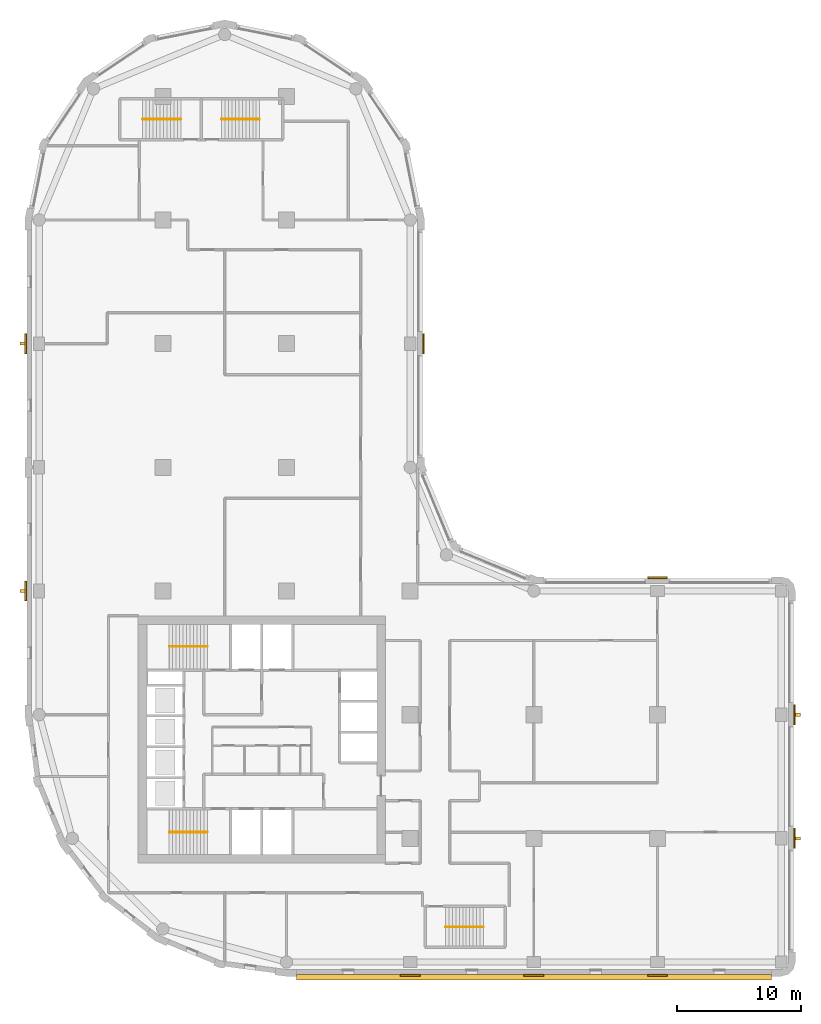
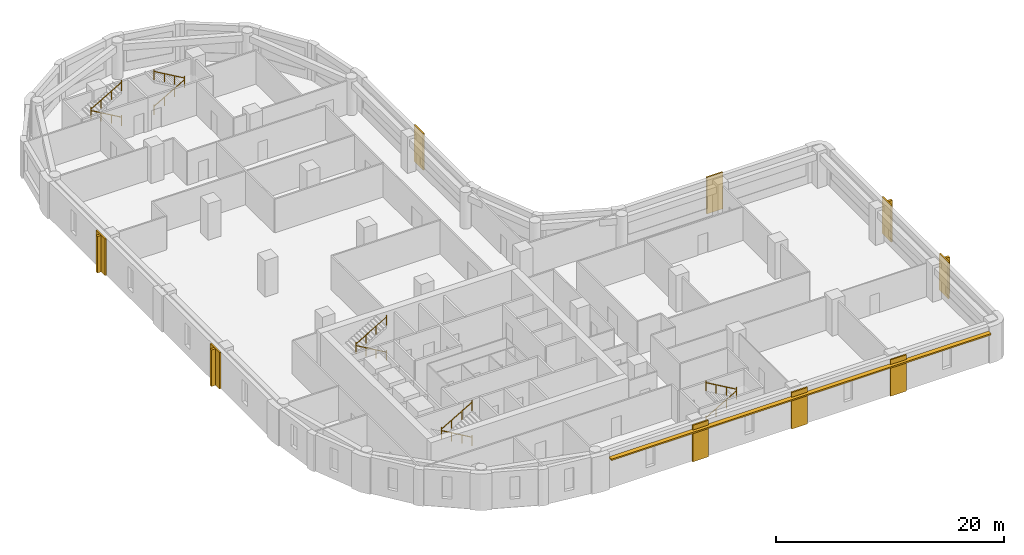
# One storey, part 8 of 9: 10 railings, 9 coverings, 5 shading devices.
"""IFC4 building model written with IfcOpenShell, lengths in metres."""

from ifc_helpers import new_model, si_unit, direction, frame, origin, origin_2d, place, context, subcontext, project, spatial, polyline, rectangle, circle, outline, extrude, material, layer, layer_set, type_object, element, save


model = new_model("IFC4")

# Units and contexts
model_context = context("Model", 3, precision=1e-05, world=origin(), true_north=direction((0.0, 1.0)))
body_context = subcontext(model_context, "Body", "Model", "MODEL_VIEW")
ifc_project = project(units=[si_unit("LENGTHUNIT", "METRE"), si_unit("AREAUNIT", "SQUARE_METRE"), si_unit("VOLUMEUNIT", "CUBIC_METRE"), si_unit("PLANEANGLEUNIT", "RADIAN"), si_unit("MASSUNIT", "GRAM", prefix="KILO")], contexts=[model_context])

# Site, building, storey
site_placement = place(None, origin())
site = spatial("IfcSite", under=ifc_project, at=site_placement, CompositionType="ELEMENT")
building_placement = place(site_placement, origin())
building = spatial("IfcBuilding", under=site, at=building_placement, Name="Qaws Garden Tower", CompositionType="ELEMENT")
storey_placement = place(building_placement, frame((0.0, 0.0, 198.0)))
storey = spatial("IfcBuildingStorey", under=building, at=storey_placement, Name="L48", CompositionType="ELEMENT", Elevation=198.0)

# Coverings
ifc_material_1 = material(Name="Clay facing brick masonry", Category="masonry")
ifc_layer_1 = layer(ifc_material_1, 0.14990234375)
ifc_layer_set_1 = layer_set([ifc_layer_1], Name="Clay facing brick masonry")
covering_type = type_object("IfcCoveringType", Name="Brick pilaster facing 150 x 1600", PredefinedType="CLADDING", material=ifc_layer_set_1)
placement = place(storey_placement, origin())
element("IfcCovering", 1, at=placement, inside=storey, type_object=covering_type, Name="E-L48-pier-01", PredefinedType="CLADDING", context=body_context, shape_type="SweptSolid", body=[
    extrude(outline(polyline([(29.199951171875, -1.0), (30.800048828125, -1.0), (30.800048828125, -1.14990234375), (29.199951171875, -1.14990234375), (29.199951171875, -1.0)])), origin(), (0.0, 0.0, 1.0), 3.89990234375),
])
element("IfcCovering", 2, at=placement, inside=storey, type_object=covering_type, Name="E-L48-pier-02", PredefinedType="CLADDING", context=body_context, shape_type="SweptSolid", body=[
    extrude(outline(polyline([(39.199951171875, -1.0), (40.800048828125, -1.0), (40.800048828125, -1.14990234375), (39.199951171875, -1.14990234375), (39.199951171875, -1.0)])), origin(), (0.0, 0.0, 1.0), 3.89990234375),
])
element("IfcCovering", 3, at=placement, inside=storey, type_object=covering_type, Name="E-L48-pier-03", PredefinedType="CLADDING", context=body_context, shape_type="SweptSolid", body=[
    extrude(outline(polyline([(49.199951171875, -1.0), (50.800048828125, -1.0), (50.800048828125, -1.14990234375), (49.199951171875, -1.14990234375), (49.199951171875, -1.0)])), origin(), (0.0, 0.0, 1.0), 3.89990234375),
])
element("IfcCovering", 4, at=placement, inside=storey, type_object=covering_type, Name="E-L48-pier-05", PredefinedType="CLADDING", context=body_context, shape_type="SweptSolid", body=[
    extrude(outline(polyline([(61.0, 9.199951171875), (61.0, 10.800048828125), (61.14990234375, 10.800048828125), (61.14990234375, 9.199951171875), (61.0, 9.199951171875)])), origin(), (0.0, 0.0, 1.0), 3.89990234375),
])
element("IfcCovering", 5, at=placement, inside=storey, type_object=covering_type, Name="E-L48-pier-06", PredefinedType="CLADDING", context=body_context, shape_type="SweptSolid", body=[
    extrude(outline(polyline([(61.0, 19.199951171875), (61.0, 20.800048828125), (61.14990234375, 20.800048828125), (61.14990234375, 19.199951171875), (61.0, 19.199951171875)])), origin(), (0.0, 0.0, 1.0), 3.89990234375),
])
element("IfcCovering", 6, at=placement, inside=storey, type_object=covering_type, Name="E-L48-pier-08", PredefinedType="CLADDING", context=body_context, shape_type="SweptSolid", body=[
    extrude(outline(polyline([(50.800048828125, 31.0), (49.199951171875, 31.0), (49.199951171875, 31.14990234375), (50.800048828125, 31.14990234375), (50.800048828125, 31.0)])), origin(), (0.0, 0.0, 1.0), 3.89990234375),
])
element("IfcCovering", 7, at=placement, inside=storey, type_object=covering_type, Name="E-L48-pier-12", PredefinedType="CLADDING", context=body_context, shape_type="SweptSolid", body=[
    extrude(outline(polyline([(31.0, 49.199951171875), (31.0, 50.800048828125), (31.14990234375, 50.800048828125), (31.14990234375, 49.199951171875), (31.0, 49.199951171875)])), origin(), (0.0, 0.0, 1.0), 3.89990234375),
])
element("IfcCovering", 8, at=placement, inside=storey, type_object=covering_type, Name="E-L48-pier-22", PredefinedType="CLADDING", context=body_context, shape_type="SweptSolid", body=[
    extrude(outline(polyline([(-1.0, 50.800048828125), (-1.0, 49.199951171875), (-1.14990234375, 49.199951171875), (-1.14990234375, 50.800048828125), (-1.0, 50.800048828125)])), origin(), (0.0, 0.0, 1.0), 3.89990234375),
])
element("IfcCovering", 9, at=placement, inside=storey, type_object=covering_type, Name="E-L48-pier-24", PredefinedType="CLADDING", context=body_context, shape_type="SweptSolid", body=[
    extrude(outline(polyline([(-1.0, 30.800048828125), (-1.0, 29.199951171875), (-1.14990234375, 29.199951171875), (-1.14990234375, 30.800048828125), (-1.0, 30.800048828125)])), origin(), (0.0, 0.0, 1.0), 3.89990234375),
])

# Shading devices
ifc_material_2 = material(Name="Clay facing brick masonry", Category="masonry")
ifc_layer_2 = layer(ifc_material_2, 0.14990234375)
ifc_layer_set_2 = layer_set([ifc_layer_2], Name="Clay facing brick masonry")
shading_device_type_1 = type_object("IfcShadingDeviceType", Name="Brick sunshade band 450 x 150", PredefinedType="JALOUSIE", material=ifc_layer_set_2)
shading_device_placement = place(storey_placement, frame((0.0, 0.0, 3.25)))
element("IfcShadingDevice", 10, at=shading_device_placement, inside=storey, type_object=shading_device_type_1, Name="SUNSHADE 00", PredefinedType="JALOUSIE", context=body_context, shape_type="SweptSolid", body=[
    extrude(outline(polyline([(20.800048828125, -1.0), (20.800048828125, -1.449951171875), (59.199951171875, -1.449951171875), (59.199951171875, -1.0), (50.800048828125, -1.0), (50.800048828125, -1.14990234375), (49.199951171875, -1.14990234375), (49.199951171875, -1.0), (40.800048828125, -1.0), (40.800048828125, -1.14990234375), (39.199951171875, -1.14990234375), (39.199951171875, -1.0), (30.800048828125, -1.0), (30.800048828125, -1.14990234375), (29.199951171875, -1.14990234375), (29.199951171875, -1.0), (20.800048828125, -1.0)])), origin(), (0.0, 0.0, 1.0), 0.14990234375),
])
ifc_material_3 = material(Name="Clay facing brick masonry", Category="masonry")
ifc_layer_3 = layer(ifc_material_3, 0.25)
ifc_layer_set_3 = layer_set([ifc_layer_3], Name="Clay facing brick masonry")
shading_device_type_2 = type_object("IfcShadingDeviceType", Name="Brick-faced fin 250 x 400", PredefinedType="USERDEFINED", material=ifc_layer_set_3)
for number, where, z_axis, x_axis, name in (
    (11, (61.35009765625, 10.0, 0.0), (0.0, 0.0, 1.0), (0.0, 1.0, 0.0), "FIN 05"),
    (12, (61.35009765625, 20.0, 0.0), (0.0, 0.0, 1.0), (0.0, 1.0, 0.0), "FIN 06"),
    (13, (-1.35009765625, 50.0, 0.0), (0.0, 0.0, 1.0), (0.0, -1.0, 0.0), "FIN 22"),
    (14, (-1.35009765625, 30.0, 0.0), (0.0, 0.0, 1.0), (0.0, -1.0, 0.0), "FIN 24"),
):
    element("IfcShadingDevice", number, at=place(storey_placement, frame(where, z_axis=z_axis, x_axis=x_axis)), inside=storey, type_object=shading_device_type_2, Name=name, ObjectType="FIN", PredefinedType="USERDEFINED", context=body_context, shape_type="SweptSolid", body=[
        extrude(rectangle(XDim=0.25, YDim=0.39990234375, at=origin_2d()), origin(), (0.0, 0.0, 1.0), 3.89990234375),
    ])

# Railings
ifc_material_4 = material(Name="Steel S355", Category="steel")
railing_type = type_object("IfcRailingType", Name="Stair handrail 900", PredefinedType="HANDRAIL", material=ifc_material_4)
railing_1_placement = place(storey_placement, frame((13.60009765625, 10.5, 0.16259765625)))
element("IfcRailing", 15, at=railing_1_placement, inside=storey, type_object=railing_type, Name="Stair 1 handrail", PredefinedType="HANDRAIL", context=body_context, shape_type="SweptSolid", body=[
    extrude(circle(Radius=0.02392578125, at=origin_2d()), frame((0.0, 0.0, 0.8759765625), z_axis=(-0.864920483161, 0.0, 0.501908913857), x_axis=(0.0, -1.0, 0.0)), (0.0, 0.0, 1.0), 3.56103515625),
    extrude(circle(Radius=0.02099609375, at=origin_2d()), origin(), (0.0, 0.0, 1.0), 1.06201171875),
    extrude(circle(Radius=0.02099609375, at=origin_2d()), frame((-1.026611328125, 0.0, 0.595703125)), (0.0, 0.0, 1.0), 0.851806640625),
    extrude(circle(Radius=0.02099609375, at=origin_2d()), frame((-2.053466796875, 0.0, 1.191650390625)), (0.0, 0.0, 1.0), 0.851806640625),
    extrude(circle(Radius=0.02099609375, at=origin_2d()), frame((-3.080078125, 0.0, 1.787353515625)), (0.0, 0.0, 1.0), 1.06201171875),
])
railing_2_placement = place(storey_placement, frame((10.52001953125, 10.5, 2.112548828125)))
element("IfcRailing", 16, at=railing_2_placement, inside=storey, type_object=railing_type, Name="Stair 1 handrail", PredefinedType="HANDRAIL", context=body_context, shape_type="SweptSolid", body=[
    extrude(circle(Radius=0.02392578125, at=origin_2d()), frame((0.0, 0.0, 0.8759765625), z_axis=(0.864920483161, 0.0, 0.501908913857), x_axis=(0.0, 1.0, 0.0)), (0.0, 0.0, 1.0), 3.56103515625),
    extrude(circle(Radius=0.02099609375, at=origin_2d()), origin(), (0.0, 0.0, 1.0), 1.06201171875),
    extrude(circle(Radius=0.02099609375, at=origin_2d()), frame((1.026611328125, 0.0, 0.595703125)), (0.0, 0.0, 1.0), 0.851806640625),
    extrude(circle(Radius=0.02099609375, at=origin_2d()), frame((2.053466796875, 0.0, 1.191650390625)), (0.0, 0.0, 1.0), 0.851806640625),
    extrude(circle(Radius=0.02099609375, at=origin_2d()), frame((3.080078125, 0.0, 1.787353515625)), (0.0, 0.0, 1.0), 1.06201171875),
])
railing_3_placement = place(storey_placement, frame((13.60009765625, 25.5, 0.16259765625)))
element("IfcRailing", 17, at=railing_3_placement, inside=storey, type_object=railing_type, Name="Stair 4 handrail", PredefinedType="HANDRAIL", context=body_context, shape_type="SweptSolid", body=[
    extrude(circle(Radius=0.02392578125, at=origin_2d()), frame((0.0, 0.0, 0.8759765625), z_axis=(-0.864920483161, 0.0, 0.501908913857), x_axis=(0.0, -1.0, 0.0)), (0.0, 0.0, 1.0), 3.56103515625),
    extrude(circle(Radius=0.02099609375, at=origin_2d()), origin(), (0.0, 0.0, 1.0), 1.06201171875),
    extrude(circle(Radius=0.02099609375, at=origin_2d()), frame((-1.026611328125, 0.0, 0.595703125)), (0.0, 0.0, 1.0), 0.851806640625),
    extrude(circle(Radius=0.02099609375, at=origin_2d()), frame((-2.053466796875, 0.0, 1.191650390625)), (0.0, 0.0, 1.0), 0.851806640625),
    extrude(circle(Radius=0.02099609375, at=origin_2d()), frame((-3.080078125, 0.0, 1.787353515625)), (0.0, 0.0, 1.0), 1.06201171875),
])
railing_4_placement = place(storey_placement, frame((10.52001953125, 25.5, 2.112548828125)))
element("IfcRailing", 18, at=railing_4_placement, inside=storey, type_object=railing_type, Name="Stair 4 handrail", PredefinedType="HANDRAIL", context=body_context, shape_type="SweptSolid", body=[
    extrude(circle(Radius=0.02392578125, at=origin_2d()), frame((0.0, 0.0, 0.8759765625), z_axis=(0.864920483161, 0.0, 0.501908913857), x_axis=(0.0, 1.0, 0.0)), (0.0, 0.0, 1.0), 3.56103515625),
    extrude(circle(Radius=0.02099609375, at=origin_2d()), origin(), (0.0, 0.0, 1.0), 1.06201171875),
    extrude(circle(Radius=0.02099609375, at=origin_2d()), frame((1.026611328125, 0.0, 0.595703125)), (0.0, 0.0, 1.0), 0.851806640625),
    extrude(circle(Radius=0.02099609375, at=origin_2d()), frame((2.053466796875, 0.0, 1.191650390625)), (0.0, 0.0, 1.0), 0.851806640625),
    extrude(circle(Radius=0.02099609375, at=origin_2d()), frame((3.080078125, 0.0, 1.787353515625)), (0.0, 0.0, 1.0), 1.06201171875),
])
railing_5_placement = place(storey_placement, frame((32.85009765625, 2.85009765625, 0.16259765625)))
element("IfcRailing", 19, at=railing_5_placement, inside=storey, type_object=railing_type, Name="Stair 5 handrail", PredefinedType="HANDRAIL", context=body_context, shape_type="SweptSolid", body=[
    extrude(circle(Radius=0.02392578125, at=origin_2d()), frame((0.0, 0.0, 0.8759765625), z_axis=(0.864903211148, 0.0, 0.501938676878), x_axis=(0.0, 1.0, 0.0)), (0.0, 0.0, 1.0), 3.560791015625),
    extrude(circle(Radius=0.02099609375, at=origin_2d()), origin(), (0.0, 0.0, 1.0), 1.06201171875),
    extrude(circle(Radius=0.02099609375, at=origin_2d()), frame((1.026611328125, 0.0, 0.595703125)), (0.0, 0.0, 1.0), 0.851806640625),
    extrude(circle(Radius=0.02099609375, at=origin_2d()), frame((2.05322265625, 0.0, 1.191650390625)), (0.0, 0.0, 1.0), 0.851806640625),
    extrude(circle(Radius=0.02099609375, at=origin_2d()), frame((3.079833984375, 0.0, 1.787353515625)), (0.0, 0.0, 1.0), 1.06201171875),
])
for number, where, name in (
    (20, (35.929931640625, 2.85009765625, 2.112548828125), "Stair 5 handrail"),
    (21, (11.449951171875, 68.14990234375, 0.16259765625), "Stair 6 handrail"),
):
    element("IfcRailing", number, at=place(storey_placement, frame(where)), inside=storey, type_object=railing_type, Name=name, PredefinedType="HANDRAIL", context=body_context, shape_type="SweptSolid", body=[
        extrude(circle(Radius=0.02392578125, at=origin_2d()), frame((0.0, 0.0, 0.8759765625), z_axis=(-0.864903211148, 0.0, 0.501938676878), x_axis=(0.0, -1.0, 0.0)), (0.0, 0.0, 1.0), 3.560791015625),
        extrude(circle(Radius=0.02099609375, at=origin_2d()), origin(), (0.0, 0.0, 1.0), 1.06201171875),
        extrude(circle(Radius=0.02099609375, at=origin_2d()), frame((-1.026611328125, 0.0, 0.595703125)), (0.0, 0.0, 1.0), 0.851806640625),
        extrude(circle(Radius=0.02099609375, at=origin_2d()), frame((-2.05322265625, 0.0, 1.191650390625)), (0.0, 0.0, 1.0), 0.851806640625),
        extrude(circle(Radius=0.02099609375, at=origin_2d()), frame((-3.079833984375, 0.0, 1.787353515625)), (0.0, 0.0, 1.0), 1.06201171875),
    ])
railing_6_placement = place(storey_placement, frame((8.3701171875, 68.14990234375, 2.112548828125)))
element("IfcRailing", 22, at=railing_6_placement, inside=storey, type_object=railing_type, Name="Stair 6 handrail", PredefinedType="HANDRAIL", context=body_context, shape_type="SweptSolid", body=[
    extrude(circle(Radius=0.02392578125, at=origin_2d()), frame((0.0, 0.0, 0.8759765625), z_axis=(0.864903211148, 0.0, 0.501938676878), x_axis=(0.0, 1.0, 0.0)), (0.0, 0.0, 1.0), 3.560791015625),
    extrude(circle(Radius=0.02099609375, at=origin_2d()), origin(), (0.0, 0.0, 1.0), 1.06201171875),
    extrude(circle(Radius=0.02099609375, at=origin_2d()), frame((1.026611328125, 0.0, 0.595703125)), (0.0, 0.0, 1.0), 0.851806640625),
    extrude(circle(Radius=0.02099609375, at=origin_2d()), frame((2.05322265625, 0.0, 1.191650390625)), (0.0, 0.0, 1.0), 0.851806640625),
    extrude(circle(Radius=0.02099609375, at=origin_2d()), frame((3.079833984375, 0.0, 1.787353515625)), (0.0, 0.0, 1.0), 1.06201171875),
])
railing_7_placement = place(storey_placement, frame((14.75, 68.14990234375, 0.16259765625)))
element("IfcRailing", 23, at=railing_7_placement, inside=storey, type_object=railing_type, Name="Stair 7 handrail", PredefinedType="HANDRAIL", context=body_context, shape_type="SweptSolid", body=[
    extrude(circle(Radius=0.02392578125, at=origin_2d()), frame((0.0, 0.0, 0.8759765625), z_axis=(0.864920483161, 0.0, 0.501908913857), x_axis=(0.0, 1.0, 0.0)), (0.0, 0.0, 1.0), 3.56103515625),
    extrude(circle(Radius=0.02099609375, at=origin_2d()), origin(), (0.0, 0.0, 1.0), 1.06201171875),
    extrude(circle(Radius=0.02099609375, at=origin_2d()), frame((1.026611328125, 0.0, 0.595703125)), (0.0, 0.0, 1.0), 0.851806640625),
    extrude(circle(Radius=0.02099609375, at=origin_2d()), frame((2.053466796875, 0.0, 1.191650390625)), (0.0, 0.0, 1.0), 0.851806640625),
    extrude(circle(Radius=0.02099609375, at=origin_2d()), frame((3.080078125, 0.0, 1.787353515625)), (0.0, 0.0, 1.0), 1.06201171875),
])
railing_8_placement = place(storey_placement, frame((17.830078125, 68.14990234375, 2.112548828125)))
element("IfcRailing", 24, at=railing_8_placement, inside=storey, type_object=railing_type, Name="Stair 7 handrail", PredefinedType="HANDRAIL", context=body_context, shape_type="SweptSolid", body=[
    extrude(circle(Radius=0.02392578125, at=origin_2d()), frame((0.0, 0.0, 0.8759765625), z_axis=(-0.864920483161, 0.0, 0.501908913857), x_axis=(0.0, -1.0, 0.0)), (0.0, 0.0, 1.0), 3.56103515625),
    extrude(circle(Radius=0.02099609375, at=origin_2d()), origin(), (0.0, 0.0, 1.0), 1.06201171875),
    extrude(circle(Radius=0.02099609375, at=origin_2d()), frame((-1.026611328125, 0.0, 0.595703125)), (0.0, 0.0, 1.0), 0.851806640625),
    extrude(circle(Radius=0.02099609375, at=origin_2d()), frame((-2.053466796875, 0.0, 1.191650390625)), (0.0, 0.0, 1.0), 0.851806640625),
    extrude(circle(Radius=0.02099609375, at=origin_2d()), frame((-3.080078125, 0.0, 1.787353515625)), (0.0, 0.0, 1.0), 1.06201171875),
])

save(model, "model.ifc")
